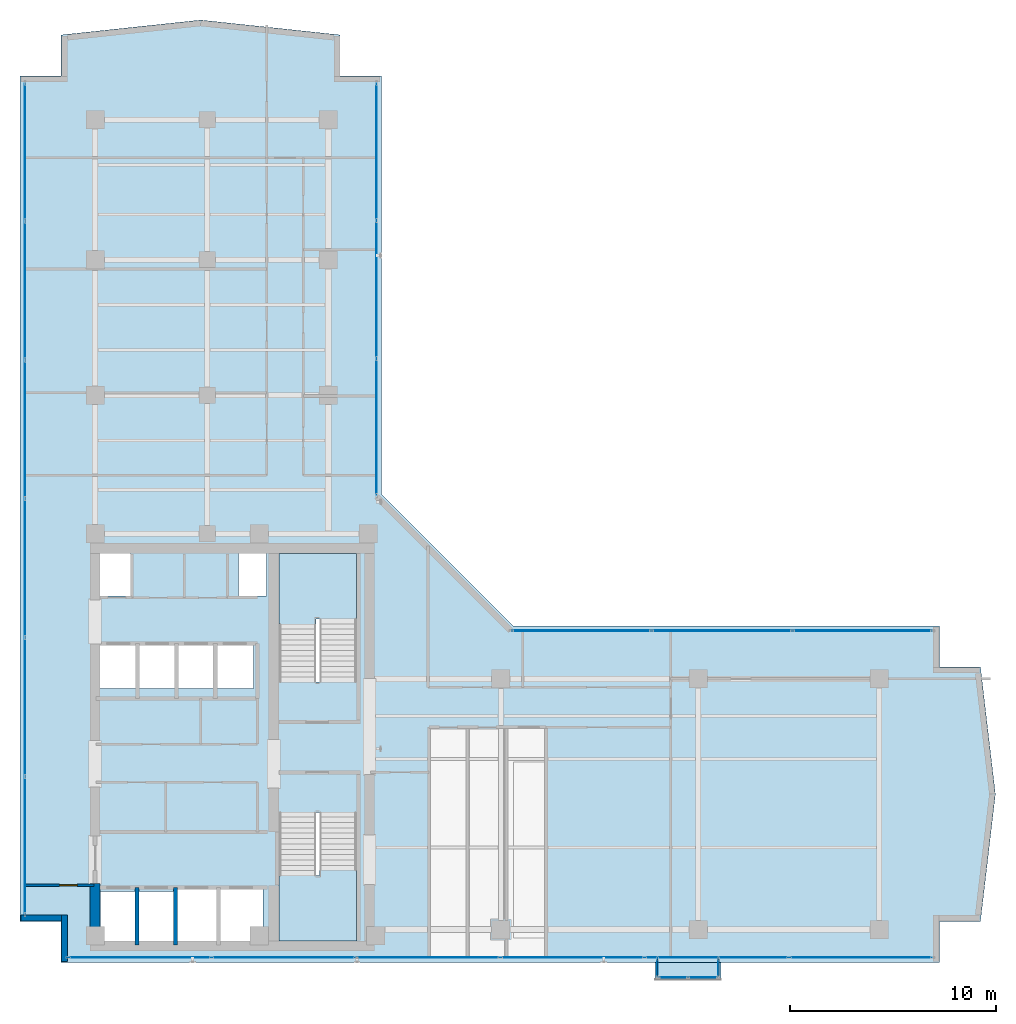
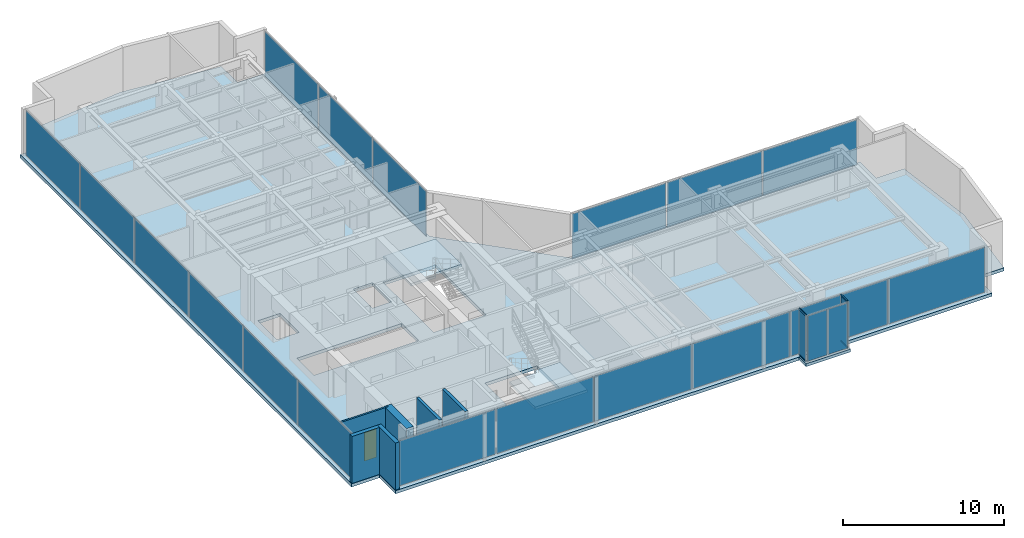
# One storey, part 16 of 23: 22 plates, 6 walls, 4 members, 4 slabs, 1 door, 1 opening, 9 elements without a shape of their own.
"""IFC4 building model written with IfcOpenShell, lengths in metres."""

from ifc_helpers import new_model, si_unit, direction, frame, frame_2d, origin, origin_with_axes, origin_2d, place, context, subcontext, project, spatial, polyline, rectangle, hollow_rectangle, outline, extrude, source, transform, mapped, material, layer, layer_set, material_profile, profile_set, type_object, element, fill, aggregate, save


model = new_model("IFC4")

# Units and contexts
model_context = context("Model", 3, precision=1e-05, world=origin(), true_north=direction((0.0, 1.0)))
body_context = subcontext(model_context, "Body", "Model", "MODEL_VIEW")
ifc_project = project(units=[si_unit("LENGTHUNIT", "METRE"), si_unit("AREAUNIT", "SQUARE_METRE"), si_unit("VOLUMEUNIT", "CUBIC_METRE"), si_unit("PLANEANGLEUNIT", "RADIAN"), si_unit("MASSUNIT", "GRAM", prefix="KILO")], contexts=[model_context])

# Site, building, storey
site_placement = place(None, origin())
site = spatial("IfcSite", under=ifc_project, at=site_placement, CompositionType="ELEMENT")
building_placement = place(site_placement, origin())
building = spatial("IfcBuilding", under=site, at=building_placement, Name="Kolvaren Waterfront Exchange", CompositionType="ELEMENT")
storey_placement = place(building_placement, frame((0.0, 0.0, 270.39990234375)))
storey = spatial("IfcBuildingStorey", under=building, at=storey_placement, Name="L69", CompositionType="ELEMENT", Elevation=270.39990234375)

# Curtain wall, members
ifc_material_1 = material(Name="Anodised bronze aluminium 6063-T6", Category="aluminium")
ifc_layer_1 = layer(ifc_material_1, 0.219970703125, Name="Anodised bronze aluminium 6063-T6")
ifc_layer_set_1 = layer_set([ifc_layer_1], Name="Anodised bronze aluminium 6063-T6")
curtain_wall_type_1 = type_object("IfcCurtainWallType", Name="ARC-CW-SYS3", PredefinedType="USERDEFINED", material=ifc_layer_set_1)
curtain_wall_1_placement = place(storey_placement, origin())
curtain_wall_1 = element("IfcCurtainWall", 1, at=curtain_wall_1_placement, inside=storey, type_object=curtain_wall_type_1, Name="L69 stick curtain wall CW3 (CW-L69-BOX-W)", ObjectType="STICK CURTAIN WALL", PredefinedType="USERDEFINED")
ifc_material_profile = material_profile(ifc_material_1, hollow_rectangle(XDim=0.06494140625, YDim=0.1298828125, WallThickness=0.00390625, at=origin_2d()), Name="ALU-TRN-130x65x4")
ifc_profile_set = profile_set([ifc_material_profile], Name="Anodised bronze aluminium 6063-T6")
member_type = type_object("IfcMemberType", Name="ARC-CWT-130", PredefinedType="USERDEFINED", material=ifc_profile_set)
shared_shape_1 = source(origin_with_axes(), body_context, "Body", "SweptSolid", [
    extrude(hollow_rectangle(XDim=0.06494140625, YDim=0.1298828125, WallThickness=0.00390625, at=origin_2d()), origin(), (0.0, 0.0, 1.0), 0.829833984375),
])
member_1_placement = place(storey_placement, frame((34.81005859375, 3.764892578125, 0.03271484375), z_axis=(0.0, -1.0, 0.0), x_axis=(1.0, 0.0, 0.0)))
member_1 = element("IfcMember", 2, at=member_1_placement, type_object=member_type, Name="CW3 transom 1.1", ObjectType="TRANSOM", PredefinedType="USERDEFINED", context=body_context, shape_type="MappedRepresentation", body=[
    mapped(shared_shape_1, transform((0.0, 0.0, 0.0), x_axis=(1.0, 0.0, 0.0), y_axis=(0.0, 1.0, 0.0), z_axis=(0.0, 0.0, 1.0), scale=1.0)),
])
member_2_placement = place(storey_placement, frame((34.81005859375, 3.764892578125, 3.527587890625), z_axis=(0.0, -1.0, 0.0), x_axis=(1.0, 0.0, 0.0)))
member_2 = element("IfcMember", 3, at=member_2_placement, type_object=member_type, Name="CW3 transom 1.2", ObjectType="TRANSOM", PredefinedType="USERDEFINED", context=body_context, shape_type="MappedRepresentation", body=[
    mapped(shared_shape_1, transform((0.0, 0.0, 0.0), x_axis=(1.0, 0.0, 0.0), y_axis=(0.0, 1.0, 0.0), z_axis=(0.0, 0.0, 1.0), scale=1.0)),
])

curtain_wall_2_placement = place(storey_placement, origin())
curtain_wall_2 = element("IfcCurtainWall", 4, at=curtain_wall_2_placement, inside=storey, type_object=curtain_wall_type_1, Name="L69 stick curtain wall CW3 (CW-L69-BOX-E)", ObjectType="STICK CURTAIN WALL", PredefinedType="USERDEFINED")
member_3_placement = place(storey_placement, frame((37.7900390625, 2.93505859375, 0.03271484375), z_axis=(0.0, 1.0, 0.0), x_axis=(-1.0, 0.0, 0.0)))
member_3 = element("IfcMember", 5, at=member_3_placement, type_object=member_type, Name="CW3 transom 1.1", ObjectType="TRANSOM", PredefinedType="USERDEFINED", context=body_context, shape_type="MappedRepresentation", body=[
    mapped(shared_shape_1, transform((0.0, 0.0, 0.0), x_axis=(1.0, 0.0, 0.0), y_axis=(0.0, 1.0, 0.0), z_axis=(0.0, 0.0, 1.0), scale=1.0)),
])
member_4_placement = place(storey_placement, frame((37.7900390625, 2.93505859375, 3.527587890625), z_axis=(0.0, 1.0, 0.0), x_axis=(-1.0, 0.0, 0.0)))
member_4 = element("IfcMember", 6, at=member_4_placement, type_object=member_type, Name="CW3 transom 1.2", ObjectType="TRANSOM", PredefinedType="USERDEFINED", context=body_context, shape_type="MappedRepresentation", body=[
    mapped(shared_shape_1, transform((0.0, 0.0, 0.0), x_axis=(1.0, 0.0, 0.0), y_axis=(0.0, 1.0, 0.0), z_axis=(0.0, 0.0, 1.0), scale=1.0)),
])

# Stair, slab
ifc_material_2 = material(Name="Concrete C40/50", Category="concrete")
stair_type = type_object("IfcStairType", Name="ARC-STAIR-3800", PredefinedType="HALF_TURN_STAIR", material=ifc_material_2)
stair_1_placement = place(storey_placement, origin())
stair_1 = element("IfcStair", 7, at=stair_1_placement, inside=storey, type_object=stair_type, Name="L69 Smoke-proof exit stair ST1", PredefinedType="HALF_TURN_STAIR")
ifc_layer_2 = layer(ifc_material_2, 0.199951171875, Name="Concrete C40/50")
ifc_layer_set_2 = layer_set([ifc_layer_2], Name="Concrete C40/50")
slab_type_1 = type_object("IfcSlabType", Name="STR-LANDING-200", PredefinedType="LANDING", material=ifc_layer_set_2)
slab_1_placement = place(storey_placement, frame((0.0, 0.0, 1.776123046875)))
slab_1 = element("IfcSlab", 8, at=slab_1_placement, type_object=slab_type_1, Name="ST1 landing 1", PredefinedType="LANDING", context=body_context, shape_type="SweptSolid", body=[
    extrude(outline(polyline([(16.39990234375, 7.840087890625), (16.39990234375, 4.64990234375), (20.159912109375, 4.64990234375), (20.159912109375, 8.10009765625), (18.360107421875, 8.10009765625), (18.360107421875, 7.840087890625), (16.39990234375, 7.840087890625)])), origin(), (0.0, 0.0, 1.0), 0.199951171875),
])
aggregate(stair_1, [slab_1])

stair_2_placement = place(storey_placement, origin())
stair_2 = element("IfcStair", 9, at=stair_2_placement, inside=storey, type_object=stair_type, Name="L69 Smoke-proof exit stair ST2", PredefinedType="HALF_TURN_STAIR")
slab_2_placement = place(storey_placement, frame((0.0, 0.0, 1.776123046875)))
slab_2 = element("IfcSlab", 10, at=slab_2_placement, type_object=slab_type_1, Name="ST2 landing 1", PredefinedType="LANDING", context=body_context, shape_type="SweptSolid", body=[
    extrude(outline(polyline([(20.159912109375, 20.31005859375), (20.159912109375, 23.5), (16.39990234375, 23.5), (16.39990234375, 20.050048828125), (18.199951171875, 20.050048828125), (18.199951171875, 20.31005859375), (20.159912109375, 20.31005859375)])), origin(), (0.0, 0.0, 1.0), 0.199951171875),
])
aggregate(stair_2, [slab_2])

# Slabs
ifc_layer_3 = layer(ifc_material_2, 0.239990234375, Name="Concrete C40/50")
ifc_layer_set_3 = layer_set([ifc_layer_3], Name="Concrete C40/50")
slab_type_2 = type_object("IfcSlabType", Name="STR-SLAB-240", PredefinedType="FLOOR", material=ifc_layer_set_3)
slab_3_placement = place(storey_placement, frame((0.0, 0.0, -0.239990234375)))
element("IfcSlab", 11, at=slab_3_placement, inside=storey, type_object=slab_type_2, Name="L69 structural floor slab", PredefinedType="FLOOR", context=body_context, shape_type="SweptSolid", body=[
    extrude(outline(polyline([(5.800048828125, 3.60009765625), (48.5263671875, 3.60009765625), (48.5263671875, 5.60009765625), (50.5263671875, 5.60009765625), (51.252685546875, 11.78955078125), (50.5263671875, 17.97900390625), (48.5263671875, 17.97900390625), (48.5263671875, 19.97900390625), (27.77880859375, 19.97900390625), (21.37890625, 26.37890625), (21.37890625, 46.726318359375), (19.37890625, 46.726318359375), (19.37890625, 48.726318359375), (12.58935546875, 49.45263671875), (5.800048828125, 48.726318359375), (5.800048828125, 46.726318359375), (3.800048828125, 46.726318359375), (3.800048828125, 5.60009765625), (5.800048828125, 5.60009765625), (5.800048828125, 3.60009765625)]), holes=[polyline([(11.320068359375, 7.260009765625), (15.610107421875, 7.260009765625), (15.610107421875, 4.5400390625), (7.719970703125, 4.5400390625), (7.719970703125, 7.06005859375), (11.320068359375, 7.06005859375), (11.320068359375, 7.260009765625)]), polyline([(20.159912109375, 10.89990234375), (20.159912109375, 4.64990234375), (16.39990234375, 4.64990234375), (16.39990234375, 10.89990234375), (20.159912109375, 10.89990234375)]), polyline([(7.669921875, 19.06005859375), (15.159912109375, 19.06005859375), (15.159912109375, 16.93994140625), (7.669921875, 16.93994140625), (7.669921875, 19.06005859375)]), polyline([(16.39990234375, 17.25), (16.39990234375, 23.5), (20.159912109375, 23.5), (20.159912109375, 17.25), (16.39990234375, 17.25)]), polyline([(7.60009765625, 23.780029296875), (9.179931640625, 23.780029296875), (9.179931640625, 21.419921875), (7.60009765625, 21.419921875), (7.60009765625, 23.780029296875)]), polyline([(14.419921875, 23.780029296875), (15.800048828125, 23.780029296875), (15.800048828125, 21.419921875), (14.419921875, 21.419921875), (14.419921875, 23.780029296875)])]), origin(), (0.0, 0.0, 1.0), 0.239990234375),
])
ifc_layer_4 = layer(ifc_material_2, 0.219970703125, Name="Concrete C40/50")
ifc_layer_set_4 = layer_set([ifc_layer_4], Name="Concrete C40/50")
slab_type_3 = type_object("IfcSlabType", Name="STR-TERR-220", PredefinedType="FLOOR", material=ifc_layer_set_4)
slab_4_placement = place(storey_placement, frame((0.0, 0.0, -0.219970703125)))
element("IfcSlab", 12, at=slab_4_placement, inside=storey, type_object=slab_type_3, Name="L69 projecting bay-box floor strip", PredefinedType="FLOOR", context=body_context, shape_type="SweptSolid", body=[
    extrude(outline(polyline([(34.699951171875, 2.75), (37.89990234375, 2.75), (37.89990234375, 3.60009765625), (34.699951171875, 3.60009765625), (34.699951171875, 2.75)])), origin(), (0.0, 0.0, 1.0), 0.219970703125),
])

# Plate
ifc_material_3 = material(Name="Bronze tinted bay-box vision glass", Category="aluminium")
ifc_layer_5 = layer(ifc_material_3, 0.02392578125, Name="Bronze tinted bay-box vision glass")
ifc_layer_set_5 = layer_set([ifc_layer_5], Name="Bronze tinted bay-box vision glass")
plate_type_1 = type_object("IfcPlateType", Name="ARC-CWP-24", PredefinedType="CURTAIN_PANEL", material=ifc_layer_set_5)
shared_shape_2 = source(origin_with_axes(), body_context, "Body", "SweptSolid", [
    extrude(rectangle(XDim=0.830078125, YDim=0.02392578125, at=origin_2d()), origin(), (0.0, 0.0, 1.0), 3.429931640625),
])
plate_1_placement = place(storey_placement, frame((34.81005859375, 3.35009765625, 0.06494140625), z_axis=(0.0, 0.0, 1.0), x_axis=(0.0, -1.0, 0.0)))
plate_1 = element("IfcPlate", 13, at=plate_1_placement, type_object=plate_type_1, Name="CW3 panel 1.1", PredefinedType="CURTAIN_PANEL", context=body_context, shape_type="MappedRepresentation", body=[
    mapped(shared_shape_2, transform((0.0, 0.0, 0.0), x_axis=(1.0, 0.0, 0.0), y_axis=(0.0, 1.0, 0.0), z_axis=(0.0, 0.0, 1.0), scale=1.0)),
])

aggregate(curtain_wall_1, [member_1, member_2, plate_1])

plate_2_placement = place(storey_placement, frame((37.7900390625, 3.35009765625, 0.06494140625), z_axis=(0.0, 0.0, 1.0), x_axis=(0.0, 1.0, 0.0)))
plate_2 = element("IfcPlate", 14, at=plate_2_placement, type_object=plate_type_1, Name="CW3 panel 1.1", PredefinedType="CURTAIN_PANEL", context=body_context, shape_type="MappedRepresentation", body=[
    mapped(shared_shape_2, transform((0.0, 0.0, 0.0), x_axis=(1.0, 0.0, 0.0), y_axis=(0.0, 1.0, 0.0), z_axis=(0.0, 0.0, 1.0), scale=1.0)),
])

aggregate(curtain_wall_2, [member_3, member_4, plate_2])

# Curtain wall, plates
curtain_wall_3_placement = place(storey_placement, origin())
curtain_wall_3 = element("IfcCurtainWall", 15, at=curtain_wall_3_placement, inside=storey, type_object=curtain_wall_type_1, Name="L69 stick curtain wall CW3 (CW-L69-BOX)", ObjectType="STICK CURTAIN WALL", PredefinedType="USERDEFINED")
shared_shape_3 = source(origin_with_axes(), body_context, "Body", "SweptSolid", [
    extrude(rectangle(XDim=1.37744140625, YDim=0.02392578125, at=origin_2d()), origin(), (0.0, 0.0, 1.0), 3.429931640625),
])
plate_3_placement = place(storey_placement, frame((35.57373046875, 2.860107421875, 0.06494140625), z_axis=(0.0, 0.0, 1.0), x_axis=(1.0, 0.0, 0.0)))
plate_3 = element("IfcPlate", 16, at=plate_3_placement, type_object=plate_type_1, Name="CW3 panel 1.1", PredefinedType="CURTAIN_PANEL", context=body_context, shape_type="MappedRepresentation", body=[
    mapped(shared_shape_3, transform((0.0, 0.0, 0.0), x_axis=(1.0, 0.0, 0.0), y_axis=(0.0, 1.0, 0.0), z_axis=(0.0, 0.0, 1.0), scale=1.0)),
])
plate_4_placement = place(storey_placement, frame((37.0263671875, 2.860107421875, 0.06494140625), z_axis=(0.0, 0.0, 1.0), x_axis=(1.0, 0.0, 0.0)))
plate_4 = element("IfcPlate", 17, at=plate_4_placement, type_object=plate_type_1, Name="CW3 panel 2.1", PredefinedType="CURTAIN_PANEL", context=body_context, shape_type="MappedRepresentation", body=[
    mapped(shared_shape_3, transform((0.0, 0.0, 0.0), x_axis=(1.0, 0.0, 0.0), y_axis=(0.0, 1.0, 0.0), z_axis=(0.0, 0.0, 1.0), scale=1.0)),
])
aggregate(curtain_wall_3, [plate_3, plate_4])

ifc_layer_6 = layer(ifc_material_1, 0.219970703125, Name="Anodised bronze aluminium 6063-T6")
ifc_layer_set_6 = layer_set([ifc_layer_6], Name="Anodised bronze aluminium 6063-T6")
curtain_wall_type_2 = type_object("IfcCurtainWallType", Name="ARC-CW-SYS1", PredefinedType="USERDEFINED", material=ifc_layer_set_6)
curtain_wall_4_placement = place(storey_placement, origin())
curtain_wall_4 = element("IfcCurtainWall", 18, at=curtain_wall_4_placement, inside=storey, type_object=curtain_wall_type_2, Name="L69 stick curtain wall CW1 (CW-L69-S)", ObjectType="STICK CURTAIN WALL", PredefinedType="USERDEFINED")
ifc_material_4 = material(Name="Bronze solar control vision glass", Category="aluminium")
ifc_layer_7 = layer(ifc_material_4, 0.028076171875, Name="Bronze solar control vision glass")
ifc_layer_set_7 = layer_set([ifc_layer_7], Name="Bronze solar control vision glass")
plate_type_2 = type_object("IfcPlateType", Name="ARC-CWP-28", PredefinedType="CURTAIN_PANEL", material=ifc_layer_set_7)
shared_shape_4 = source(origin_with_axes(), body_context, "Body", "SweptSolid", [
    extrude(rectangle(XDim=6.901123046875, YDim=0.028076171875, at=origin_2d()), origin(), (0.0, 0.0, 1.0), 3.409912109375),
])
plate_5_placement = place(storey_placement, frame((9.630615234375, 3.840087890625, 0.0751953125), z_axis=(0.0, 0.0, 1.0), x_axis=(1.0, 0.0, 0.0)))
plate_5 = element("IfcPlate", 19, at=plate_5_placement, type_object=plate_type_2, Name="CW1 panel 1.1", PredefinedType="CURTAIN_PANEL", context=body_context, shape_type="MappedRepresentation", body=[
    mapped(shared_shape_4, transform((0.0, 0.0, 0.0), x_axis=(1.0, 0.0, 0.0), y_axis=(0.0, 1.0, 0.0), z_axis=(0.0, 0.0, 1.0), scale=1.0)),
])
plate_6_placement = place(storey_placement, frame((44.69580078125, 3.840087890625, 0.0751953125), z_axis=(0.0, 0.0, 1.0), x_axis=(1.0, 0.0, 0.0)))
plate_6 = element("IfcPlate", 20, at=plate_6_placement, type_object=plate_type_2, Name="CW1 panel 6.1", PredefinedType="CURTAIN_PANEL", context=body_context, shape_type="MappedRepresentation", body=[
    mapped(shared_shape_4, transform((0.0, 0.0, 0.0), x_axis=(1.0, 0.0, 0.0), y_axis=(0.0, 1.0, 0.0), z_axis=(0.0, 0.0, 1.0), scale=1.0)),
])
shared_shape_5 = source(origin_with_axes(), body_context, "Body", "SweptSolid", [
    extrude(rectangle(XDim=6.941162109375, YDim=0.028076171875, at=origin_2d()), origin(), (0.0, 0.0, 1.0), 3.409912109375),
])
plate_7_placement = place(storey_placement, frame((16.631591796875, 3.840087890625, 0.0751953125), z_axis=(0.0, 0.0, 1.0), x_axis=(1.0, 0.0, 0.0)))
plate_7 = element("IfcPlate", 21, at=plate_7_placement, type_object=plate_type_2, Name="CW1 panel 2.1", PredefinedType="CURTAIN_PANEL", context=body_context, shape_type="MappedRepresentation", body=[
    mapped(shared_shape_5, transform((0.0, 0.0, 0.0), x_axis=(1.0, 0.0, 0.0), y_axis=(0.0, 1.0, 0.0), z_axis=(0.0, 0.0, 1.0), scale=1.0)),
])
plate_8_placement = place(storey_placement, frame((23.652587890625, 3.840087890625, 0.0751953125), z_axis=(0.0, 0.0, 1.0), x_axis=(1.0, 0.0, 0.0)))
plate_8 = element("IfcPlate", 22, at=plate_8_placement, type_object=plate_type_2, Name="CW1 panel 3.1", PredefinedType="CURTAIN_PANEL", context=body_context, shape_type="MappedRepresentation", body=[
    mapped(shared_shape_5, transform((0.0, 0.0, 0.0), x_axis=(1.0, 0.0, 0.0), y_axis=(0.0, 1.0, 0.0), z_axis=(0.0, 0.0, 1.0), scale=1.0)),
])
plate_9_placement = place(storey_placement, frame((30.673583984375, 3.840087890625, 0.0751953125), z_axis=(0.0, 0.0, 1.0), x_axis=(1.0, 0.0, 0.0)))
plate_9 = element("IfcPlate", 23, at=plate_9_placement, type_object=plate_type_2, Name="CW1 panel 4.1", PredefinedType="CURTAIN_PANEL", context=body_context, shape_type="MappedRepresentation", body=[
    mapped(shared_shape_5, transform((0.0, 0.0, 0.0), x_axis=(1.0, 0.0, 0.0), y_axis=(0.0, 1.0, 0.0), z_axis=(0.0, 0.0, 1.0), scale=1.0)),
])
plate_10_placement = place(storey_placement, frame((37.69482421875, 3.840087890625, 0.0751953125), z_axis=(0.0, 0.0, 1.0), x_axis=(1.0, 0.0, 0.0)))
plate_10 = element("IfcPlate", 24, at=plate_10_placement, type_object=plate_type_2, Name="CW1 panel 5.1", PredefinedType="CURTAIN_PANEL", context=body_context, shape_type="MappedRepresentation", body=[
    mapped(shared_shape_5, transform((0.0, 0.0, 0.0), x_axis=(1.0, 0.0, 0.0), y_axis=(0.0, 1.0, 0.0), z_axis=(0.0, 0.0, 1.0), scale=1.0)),
])
aggregate(curtain_wall_4, [plate_5, plate_7, plate_8, plate_9, plate_10, plate_6])

ifc_material_5 = material(Name="Anodised aluminium 6063-T6", Category="aluminium")
ifc_layer_8 = layer(ifc_material_5, 0.219970703125, Name="Anodised aluminium 6063-T6")
ifc_layer_set_8 = layer_set([ifc_layer_8], Name="Anodised aluminium 6063-T6")
curtain_wall_type_3 = type_object("IfcCurtainWallType", Name="ARC-CW-SYS2", PredefinedType="USERDEFINED", material=ifc_layer_set_8)
curtain_wall_5_placement = place(storey_placement, origin())
curtain_wall_5 = element("IfcCurtainWall", 25, at=curtain_wall_5_placement, inside=storey, type_object=curtain_wall_type_3, Name="L69 stick curtain wall CW2 (CW-L69-W)", ObjectType="STICK CURTAIN WALL", PredefinedType="USERDEFINED")
ifc_material_6 = material(Name="Acoustic laminated vision glass", Category="glass")
ifc_layer_9 = layer(ifc_material_6, 0.031982421875, Name="Acoustic laminated vision glass")
ifc_layer_set_9 = layer_set([ifc_layer_9], Name="Acoustic laminated vision glass")
plate_type_3 = type_object("IfcPlateType", Name="ARC-CWP-32", PredefinedType="CURTAIN_PANEL", material=ifc_layer_set_9)
shared_shape_6 = source(origin_with_axes(), body_context, "Body", "SweptSolid", [
    extrude(rectangle(XDim=6.63427734375, YDim=0.031982421875, at=origin_2d()), origin(), (0.0, 0.0, 1.0), 3.409912109375),
])
plate_11_placement = place(storey_placement, frame((4.0400390625, 9.297119140625, 0.0751953125), z_axis=(0.0, 0.0, 1.0), x_axis=(0.0, 1.0, 0.0)))
plate_11 = element("IfcPlate", 26, at=plate_11_placement, type_object=plate_type_3, Name="CW2 panel 1.1", PredefinedType="CURTAIN_PANEL", context=body_context, shape_type="MappedRepresentation", body=[
    mapped(shared_shape_6, transform((0.0, 0.0, 0.0), x_axis=(1.0, 0.0, 0.0), y_axis=(0.0, 1.0, 0.0), z_axis=(0.0, 0.0, 1.0), scale=1.0)),
])
plate_12_placement = place(storey_placement, frame((4.0400390625, 43.029052734375, 0.0751953125), z_axis=(0.0, 0.0, 1.0), x_axis=(0.0, 1.0, 0.0)))
plate_12 = element("IfcPlate", 27, at=plate_12_placement, type_object=plate_type_3, Name="CW2 panel 6.1", PredefinedType="CURTAIN_PANEL", context=body_context, shape_type="MappedRepresentation", body=[
    mapped(shared_shape_6, transform((0.0, 0.0, 0.0), x_axis=(1.0, 0.0, 0.0), y_axis=(0.0, 1.0, 0.0), z_axis=(0.0, 0.0, 1.0), scale=1.0)),
])
shared_shape_7 = source(origin_with_axes(), body_context, "Body", "SweptSolid", [
    extrude(rectangle(XDim=6.67431640625, YDim=0.031982421875, at=origin_2d()), origin(), (0.0, 0.0, 1.0), 3.409912109375),
])
plate_13_placement = place(storey_placement, frame((4.0400390625, 16.031494140625, 0.0751953125), z_axis=(0.0, 0.0, 1.0), x_axis=(0.0, 1.0, 0.0)))
plate_13 = element("IfcPlate", 28, at=plate_13_placement, type_object=plate_type_3, Name="CW2 panel 2.1", PredefinedType="CURTAIN_PANEL", context=body_context, shape_type="MappedRepresentation", body=[
    mapped(shared_shape_7, transform((0.0, 0.0, 0.0), x_axis=(1.0, 0.0, 0.0), y_axis=(0.0, 1.0, 0.0), z_axis=(0.0, 0.0, 1.0), scale=1.0)),
])
plate_14_placement = place(storey_placement, frame((4.0400390625, 22.785888671875, 0.0751953125), z_axis=(0.0, 0.0, 1.0), x_axis=(0.0, 1.0, 0.0)))
plate_14 = element("IfcPlate", 29, at=plate_14_placement, type_object=plate_type_3, Name="CW2 panel 3.1", PredefinedType="CURTAIN_PANEL", context=body_context, shape_type="MappedRepresentation", body=[
    mapped(shared_shape_7, transform((0.0, 0.0, 0.0), x_axis=(1.0, 0.0, 0.0), y_axis=(0.0, 1.0, 0.0), z_axis=(0.0, 0.0, 1.0), scale=1.0)),
])
plate_15_placement = place(storey_placement, frame((4.0400390625, 29.540283203125, 0.0751953125), z_axis=(0.0, 0.0, 1.0), x_axis=(0.0, 1.0, 0.0)))
plate_15 = element("IfcPlate", 30, at=plate_15_placement, type_object=plate_type_3, Name="CW2 panel 4.1", PredefinedType="CURTAIN_PANEL", context=body_context, shape_type="MappedRepresentation", body=[
    mapped(shared_shape_7, transform((0.0, 0.0, 0.0), x_axis=(1.0, 0.0, 0.0), y_axis=(0.0, 1.0, 0.0), z_axis=(0.0, 0.0, 1.0), scale=1.0)),
])
plate_16_placement = place(storey_placement, frame((4.0400390625, 36.294677734375, 0.0751953125), z_axis=(0.0, 0.0, 1.0), x_axis=(0.0, 1.0, 0.0)))
plate_16 = element("IfcPlate", 31, at=plate_16_placement, type_object=plate_type_3, Name="CW2 panel 5.1", PredefinedType="CURTAIN_PANEL", context=body_context, shape_type="MappedRepresentation", body=[
    mapped(shared_shape_7, transform((0.0, 0.0, 0.0), x_axis=(1.0, 0.0, 0.0), y_axis=(0.0, 1.0, 0.0), z_axis=(0.0, 0.0, 1.0), scale=1.0)),
])
aggregate(curtain_wall_5, [plate_11, plate_13, plate_14, plate_15, plate_16, plate_12])

curtain_wall_6_placement = place(storey_placement, origin())
curtain_wall_6 = element("IfcCurtainWall", 32, at=curtain_wall_6_placement, inside=storey, type_object=curtain_wall_type_2, Name="L69 stick curtain wall CW1 (CW-L69-NE)", ObjectType="STICK CURTAIN WALL", PredefinedType="USERDEFINED")
shared_shape_8 = source(origin_with_axes(), body_context, "Body", "SweptSolid", [
    extrude(rectangle(XDim=6.59912109375, YDim=0.028076171875, at=origin_2d()), origin(), (0.0, 0.0, 1.0), 3.409912109375),
])
plate_17_placement = place(storey_placement, frame((21.138916015625, 29.6484375, 0.0751953125), z_axis=(0.0, 0.0, 1.0), x_axis=(0.0, 1.0, 0.0)))
plate_17 = element("IfcPlate", 33, at=plate_17_placement, type_object=plate_type_2, Name="CW1 panel 1.1", PredefinedType="CURTAIN_PANEL", context=body_context, shape_type="MappedRepresentation", body=[
    mapped(shared_shape_8, transform((0.0, 0.0, 0.0), x_axis=(1.0, 0.0, 0.0), y_axis=(0.0, 1.0, 0.0), z_axis=(0.0, 0.0, 1.0), scale=1.0)),
])
plate_18_placement = place(storey_placement, frame((21.138916015625, 43.046630859375, 0.0751953125), z_axis=(0.0, 0.0, 1.0), x_axis=(0.0, 1.0, 0.0)))
plate_18 = element("IfcPlate", 34, at=plate_18_placement, type_object=plate_type_2, Name="CW1 panel 3.1", PredefinedType="CURTAIN_PANEL", context=body_context, shape_type="MappedRepresentation", body=[
    mapped(shared_shape_8, transform((0.0, 0.0, 0.0), x_axis=(1.0, 0.0, 0.0), y_axis=(0.0, 1.0, 0.0), z_axis=(0.0, 0.0, 1.0), scale=1.0)),
])
shared_shape_9 = source(origin_with_axes(), body_context, "Body", "SweptSolid", [
    extrude(rectangle(XDim=6.63916015625, YDim=0.028076171875, at=origin_2d()), origin(), (0.0, 0.0, 1.0), 3.409912109375),
])
plate_19_placement = place(storey_placement, frame((21.138916015625, 36.34765625, 0.0751953125), z_axis=(0.0, 0.0, 1.0), x_axis=(0.0, 1.0, 0.0)))
plate_19 = element("IfcPlate", 35, at=plate_19_placement, type_object=plate_type_2, Name="CW1 panel 2.1", PredefinedType="CURTAIN_PANEL", context=body_context, shape_type="MappedRepresentation", body=[
    mapped(shared_shape_9, transform((0.0, 0.0, 0.0), x_axis=(1.0, 0.0, 0.0), y_axis=(0.0, 1.0, 0.0), z_axis=(0.0, 0.0, 1.0), scale=1.0)),
])
aggregate(curtain_wall_6, [plate_17, plate_19, plate_18])

curtain_wall_7_placement = place(storey_placement, origin())
curtain_wall_7 = element("IfcCurtainWall", 36, at=curtain_wall_7_placement, inside=storey, type_object=curtain_wall_type_2, Name="L69 stick curtain wall CW1 (CW-L69-EN)", ObjectType="STICK CURTAIN WALL", PredefinedType="USERDEFINED")
shared_shape_10 = source(origin_with_axes(), body_context, "Body", "SweptSolid", [
    extrude(rectangle(XDim=6.732421875, YDim=0.028076171875, at=origin_2d()), origin(), (0.0, 0.0, 1.0), 3.409912109375),
])
plate_20_placement = place(storey_placement, frame((31.115234375, 19.739013671875, 0.0751953125), z_axis=(0.0, 0.0, 1.0), x_axis=(1.0, 0.0, 0.0)))
plate_20 = element("IfcPlate", 37, at=plate_20_placement, type_object=plate_type_2, Name="CW1 panel 1.1", PredefinedType="CURTAIN_PANEL", context=body_context, shape_type="MappedRepresentation", body=[
    mapped(shared_shape_10, transform((0.0, 0.0, 0.0), x_axis=(1.0, 0.0, 0.0), y_axis=(0.0, 1.0, 0.0), z_axis=(0.0, 0.0, 1.0), scale=1.0)),
])
plate_21_placement = place(storey_placement, frame((44.780029296875, 19.739013671875, 0.0751953125), z_axis=(0.0, 0.0, 1.0), x_axis=(1.0, 0.0, 0.0)))
plate_21 = element("IfcPlate", 38, at=plate_21_placement, type_object=plate_type_2, Name="CW1 panel 3.1", PredefinedType="CURTAIN_PANEL", context=body_context, shape_type="MappedRepresentation", body=[
    mapped(shared_shape_10, transform((0.0, 0.0, 0.0), x_axis=(1.0, 0.0, 0.0), y_axis=(0.0, 1.0, 0.0), z_axis=(0.0, 0.0, 1.0), scale=1.0)),
])
shared_shape_11 = source(origin_with_axes(), body_context, "Body", "SweptSolid", [
    extrude(rectangle(XDim=6.7724609375, YDim=0.028076171875, at=origin_2d()), origin(), (0.0, 0.0, 1.0), 3.409912109375),
])
plate_22_placement = place(storey_placement, frame((37.947509765625, 19.739013671875, 0.0751953125), z_axis=(0.0, 0.0, 1.0), x_axis=(1.0, 0.0, 0.0)))
plate_22 = element("IfcPlate", 39, at=plate_22_placement, type_object=plate_type_2, Name="CW1 panel 2.1", PredefinedType="CURTAIN_PANEL", context=body_context, shape_type="MappedRepresentation", body=[
    mapped(shared_shape_11, transform((0.0, 0.0, 0.0), x_axis=(1.0, 0.0, 0.0), y_axis=(0.0, 1.0, 0.0), z_axis=(0.0, 0.0, 1.0), scale=1.0)),
])
aggregate(curtain_wall_7, [plate_20, plate_22, plate_21])

# Walls
ifc_material_7 = material(Name="Precast concrete C40/50", Category="concrete")
ifc_layer_10 = layer(ifc_material_7, 0.280029296875, Name="Precast concrete C40/50")
ifc_layer_set_10 = layer_set([ifc_layer_10], Name="Precast concrete C40/50")
wall_type_1 = type_object("IfcWallType", Name="ARC-EXT-TERR-280", PredefinedType="SOLIDWALL", material=ifc_layer_set_10)
wall_1_placement = place(storey_placement, frame((5.9599609375, 3.659912109375, 0.0), z_axis=(0.0, 0.0, 1.0), x_axis=(0.0, 1.0, 0.0)))
element("IfcWall", 40, at=wall_1_placement, inside=storey, type_object=wall_type_1, Name="L69 notched corner spandrel pier SW-A", PredefinedType="SOLIDWALL", context=body_context, shape_type="SweptSolid", body=[
    extrude(rectangle(XDim=2.239990234375, YDim=0.280029296875, at=frame_2d((1.1201171875, 0.0))), origin(), (0.0, 0.0, 1.0), 3.56005859375),
])
wall_2_placement = place(storey_placement, frame((3.860107421875, 5.760009765625, 0.0), z_axis=(0.0, 0.0, 1.0), x_axis=(1.0, 0.0, 0.0)))
element("IfcWall", 41, at=wall_2_placement, inside=storey, type_object=wall_type_1, Name="L69 notched corner spandrel pier SW-B", PredefinedType="SOLIDWALL", context=body_context, shape_type="SweptSolid", body=[
    extrude(rectangle(XDim=1.9599609375, YDim=0.280029296875, at=frame_2d((0.97998046875, 0.0))), origin(), (0.0, 0.0, 1.0), 3.56005859375),
])

# Wall, opening, door
ifc_material_8 = material(Name="Acoustic gypsum steel stud", Category="steel")
ifc_layer_11 = layer(ifc_material_8, 0.125, Name="Acoustic gypsum steel stud")
ifc_layer_set_11 = layer_set([ifc_layer_11], Name="Acoustic gypsum steel stud")
wall_type_2 = type_object("IfcWallType", Name="ARC-PART-125", PredefinedType="PARTITIONING", material=ifc_layer_set_11)
wall_3_placement = place(storey_placement, frame((4.0400390625, 7.35009765625, 0.0), z_axis=(0.0, 0.0, 1.0), x_axis=(1.0, 0.0, 0.0)))
wall_3 = element("IfcWall", 42, at=wall_3_placement, inside=storey, type_object=wall_type_2, Name="L69 interior wall PW-L69-SWC-N", PredefinedType="PARTITIONING", context=body_context, shape_type="SweptSolid", body=[
    extrude(rectangle(XDim=3.35986328125, YDim=0.125, at=frame_2d((1.679931640625, 0.0))), origin(), (0.0, 0.0, 1.0), 3.56005859375),
])
opening_placement = place(wall_3_placement, frame((1.686767578125, 0.0, 0.0)))
opening = element("IfcOpeningElement", 43, at=opening_placement, cuts=wall_3, Name="Opening D01", PredefinedType="OPENING", context=body_context, shape_type="SweptSolid", body=[
    extrude(rectangle(XDim=0.85009765625, YDim=2.14990234375, at=frame_2d((0.425048828125, 1.074951171875))), frame((0.0, 0.072509765625, 0.0), z_axis=(0.0, -1.0, 0.0), x_axis=(1.0, 0.0, 0.0)), (0.0, 0.0, 1.0), 0.14501953125),
])
ifc_material_9 = material(Name="Oak veneer timber leaf", Category="wood")
door_type = type_object("IfcDoorType", Name="ARC-DR-900", OperationType="NOTDEFINED", PredefinedType="DOOR", material=ifc_material_9)
door_placement = place(opening_placement, origin())
door = element("IfcDoor", 44, at=door_placement, inside=storey, type_object=door_type, Name="L69 door DR-L69-SWC-D (D01)", OperationType="SINGLE_SWING_RIGHT", OverallHeight=2.14990234375, OverallWidth=0.85009765625, PredefinedType="DOOR", context=body_context, shape_type="SweptSolid", body=[
    extrude(rectangle(XDim=0.85009765625, YDim=2.14990234375, at=frame_2d((0.425048828125, 1.074951171875))), frame((0.0, 0.02490234375, 0.0), z_axis=(0.0, -1.0, 0.0), x_axis=(1.0, 0.0, 0.0)), (0.0, 0.0, 1.0), 0.050048828125),
])
fill(opening, door)

# Walls
ifc_layer_12 = layer(ifc_material_2, 0.199951171875, Name="Concrete C40/50")
ifc_layer_set_12 = layer_set([ifc_layer_12], Name="Concrete C40/50")
wall_type_3 = type_object("IfcWallType", Name="ARC-SHAFT-200", PredefinedType="PARTITIONING", material=ifc_layer_set_12)
for number, where, z_axis, x_axis, name in (
    (45, (9.5, 4.449951171875, 0.0), (0.0, 0.0, 1.0), (0.0, 1.0, 0.0), "L69 interior wall PW-L69-SH1-DIV-95"),
    (46, (11.360107421875, 4.449951171875, 0.0), (0.0, 0.0, 1.0), (0.0, 1.0, 0.0), "L69 interior wall PW-L69-SH1-DIV-113"),
):
    element("IfcWall", number, at=place(storey_placement, frame(where, z_axis=z_axis, x_axis=x_axis)), inside=storey, type_object=wall_type_3, Name=name, PredefinedType="PARTITIONING", context=body_context, shape_type="SweptSolid", body=[
        extrude(rectangle(XDim=2.800048828125, YDim=0.199951171875, at=frame_2d((1.39990234375, 0.0))), origin(), (0.0, 0.0, 1.0), 3.56005859375),
    ])
ifc_material_10 = material(Name="Concrete C50/60", Category="concrete")
ifc_layer_13 = layer(ifc_material_10, 0.5, Name="Concrete C50/60")
ifc_layer_set_13 = layer_set([ifc_layer_13], Name="Concrete C50/60")
wall_type_4 = type_object("IfcWallType", Name="STR-CWALL-500", PredefinedType="SHEAR", material=ifc_layer_set_13)
wall_4_placement = place(storey_placement, frame((7.449951171875, 4.64990234375, 0.0), z_axis=(0.0, 0.0, 1.0), x_axis=(0.0, 1.0, 0.0)))
element("IfcWall", 47, at=wall_4_placement, inside=storey, type_object=wall_type_4, Name="L69 rear-core shear wall W1", PredefinedType="SHEAR", context=body_context, shape_type="SweptSolid", body=[
    extrude(rectangle(XDim=2.800048828125, YDim=0.5, at=frame_2d((1.39990234375, 0.0))), origin(), (0.0, 0.0, 1.0), 3.56005859375),
])

save(model, "model.ifc")
